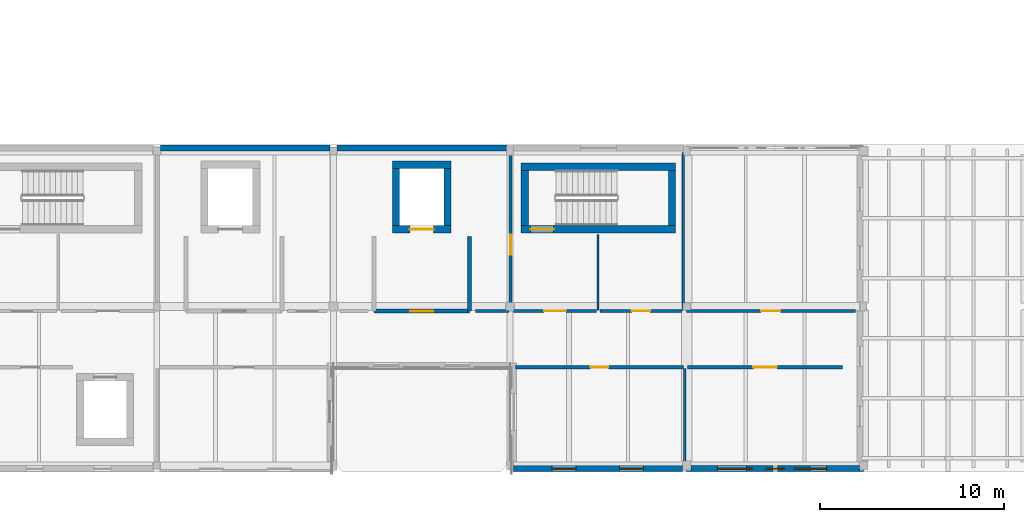
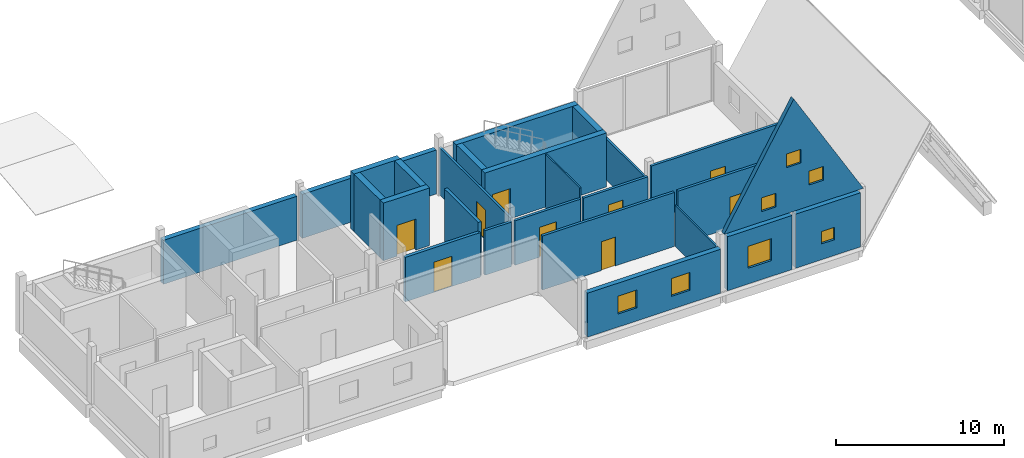
# One storey, part 15 of 23: 26 walls, 9 doors, 7 windows, 16 openings.
"""IFC4 building model written with IfcOpenShell, lengths in metres."""

from ifc_helpers import new_model, si_unit, direction, frame, frame_2d, origin, place, context, subcontext, project, spatial, polyline, rectangle, outline, extrude, material, layer, layer_set, type_object, element, fill, save


model = new_model("IFC4")

# Units and contexts
model_context = context("Model", 3, precision=1e-05, world=origin(), true_north=direction((0.0, 1.0)))
body_context = subcontext(model_context, "Body", "Model", "MODEL_VIEW")
ifc_project = project(units=[si_unit("LENGTHUNIT", "METRE"), si_unit("AREAUNIT", "SQUARE_METRE"), si_unit("VOLUMEUNIT", "CUBIC_METRE"), si_unit("PLANEANGLEUNIT", "RADIAN"), si_unit("MASSUNIT", "GRAM", prefix="KILO")], contexts=[model_context])

# Site, building, storey
site_placement = place(None, origin())
site = spatial("IfcSite", under=ifc_project, at=site_placement, CompositionType="ELEMENT")
building_placement = place(site_placement, origin())
building = spatial("IfcBuilding", under=site, at=building_placement, Name="Birchvale Park Specialist Clinic", CompositionType="ELEMENT")
storey_placement = place(building_placement, frame((0.0, 0.0, 18.0)))
storey = spatial("IfcBuildingStorey", under=building, at=storey_placement, Name="L04", CompositionType="ELEMENT", Elevation=18.0)

# Wall, opening, door
ifc_material_1 = material(Name="Concrete C40/50", Category="concrete")
ifc_layer_1 = layer(ifc_material_1, 0.39990234375)
ifc_layer_set_1 = layer_set([ifc_layer_1], Name="Concrete C40/50")
wall_type_1 = type_object("IfcWallType", Name="WL-CW-120", PredefinedType="SHEAR", material=ifc_layer_set_1)
wall_1_placement = place(storey_placement, frame((90.800048828125, 30.0, 0.0), z_axis=(0.0, 0.0, 1.0), x_axis=(1.0, 0.0, 0.0)))
wall_1 = element("IfcWall", 1, at=wall_1_placement, inside=storey, type_object=wall_type_1, Name="L04 stair ST5 EI 120 enclosure wall (south)", PredefinedType="SHEAR", context=body_context, shape_type="SweptSolid", body=[
    extrude(rectangle(XDim=8.39990234375, YDim=0.39990234375, at=frame_2d((4.199951171875, 0.0))), origin(), (0.0, 0.0, 1.0), 3.93994140625),
])
opening_1_placement = place(wall_1_placement, frame((0.52001953125, 0.0, 0.0)))
opening_1 = element("IfcOpeningElement", 2, at=opening_1_placement, cuts=wall_1, Name="Opening ID-FD60", PredefinedType="OPENING", context=body_context, shape_type="SweptSolid", body=[
    extrude(rectangle(XDim=1.25, YDim=2.199951171875, at=frame_2d((0.625, 1.10009765625))), frame((0.0, 0.2099609375, 0.0), z_axis=(0.0, -1.0, 0.0), x_axis=(1.0, 0.0, 0.0)), (0.0, 0.0, 1.0), 0.419921875),
])
ifc_material_2 = material(Name="Solid-core birch veneer and anodised aluminium", Category="aluminium")
door_type_1 = type_object("IfcDoorType", Name="DR-ID-FD60", OperationType="NOTDEFINED", PredefinedType="DOOR", material=ifc_material_2)
door_1_placement = place(opening_1_placement, origin())
door_1 = element("IfcDoor", 3, at=door_1_placement, inside=storey, type_object=door_type_1, Name="L04 stair ST5 fire door", OperationType="SINGLE_SWING_RIGHT", OverallHeight=2.199951171875, OverallWidth=1.25, PredefinedType="DOOR", context=body_context, shape_type="SweptSolid", body=[
    extrude(rectangle(XDim=1.25, YDim=2.199951171875, at=frame_2d((0.625, 1.10009765625))), frame((0.0, 0.02490234375, 0.0), z_axis=(0.0, -1.0, 0.0), x_axis=(1.0, 0.0, 0.0)), (0.0, 0.0, 1.0), 0.050048828125),
])
fill(opening_1, door_1)

# Walls
wall_2_placement = place(storey_placement, frame((99.199951171875, 33.39990234375, 0.0), z_axis=(0.0, 0.0, 1.0), x_axis=(-1.0, 0.0, 0.0)))
element("IfcWall", 4, at=wall_2_placement, inside=storey, type_object=wall_type_1, Name="L04 stair ST5 EI 120 enclosure wall (north)", PredefinedType="SHEAR", context=body_context, shape_type="SweptSolid", body=[
    extrude(rectangle(XDim=8.39990234375, YDim=0.39990234375, at=frame_2d((4.199951171875, 0.0))), origin(), (0.0, 0.0, 1.0), 3.93994140625),
])
for number, where, z_axis, x_axis, name in (
    (5, (91.0, 30.199951171875, 0.0), (0.0, 0.0, 1.0), (0.0, 1.0, 0.0), "L04 stair ST5 EI 120 enclosure wall (west)"),
    (6, (99.0, 33.199951171875, 0.0), (0.0, 0.0, 1.0), (0.0, -1.0, 0.0), "L04 stair ST5 EI 120 enclosure wall (east)"),
):
    element("IfcWall", number, at=place(storey_placement, frame(where, z_axis=z_axis, x_axis=x_axis)), inside=storey, type_object=wall_type_1, Name=name, PredefinedType="SHEAR", context=body_context, shape_type="SweptSolid", body=[
        extrude(rectangle(XDim=3.0, YDim=0.39990234375, at=frame_2d((1.5, 0.0))), origin(), (0.0, 0.0, 1.0), 3.93994140625),
    ])

# Wall, opening, door
wall_3_placement = place(storey_placement, frame((83.800048828125, 30.0, 0.0), z_axis=(0.0, 0.0, 1.0), x_axis=(1.0, 0.0, 0.0)))
wall_3 = element("IfcWall", 7, at=wall_3_placement, inside=storey, type_object=wall_type_1, Name="L04 lift LF2 shaft wall (south)", PredefinedType="SHEAR", context=body_context, shape_type="SweptSolid", body=[
    extrude(rectangle(XDim=3.199951171875, YDim=0.39990234375, at=frame_2d((1.60009765625, 0.0))), origin(), (0.0, 0.0, 1.0), 4.199951171875),
])
opening_2_placement = place(wall_3_placement, frame((0.949951171875, 0.0, 0.0)))
opening_2 = element("IfcOpeningElement", 8, at=opening_2_placement, cuts=wall_3, Name="Opening LD-02", PredefinedType="OPENING", context=body_context, shape_type="SweptSolid", body=[
    extrude(rectangle(XDim=1.300048828125, YDim=2.25, at=frame_2d((0.64990234375, 1.125))), frame((0.0, 0.2099609375, 0.0), z_axis=(0.0, -1.0, 0.0), x_axis=(1.0, 0.0, 0.0)), (0.0, 0.0, 1.0), 0.419921875),
])
door_type_2 = type_object("IfcDoorType", Name="DR-LD-02", OperationType="DOUBLE_DOOR_SLIDING", PredefinedType="DOOR", material=ifc_material_2)
door_2_placement = place(opening_2_placement, origin())
door_2 = element("IfcDoor", 9, at=door_2_placement, inside=storey, type_object=door_type_2, Name="L04 lift LF2 sliding landing door", OperationType="DOUBLE_DOOR_SLIDING", OverallHeight=2.25, OverallWidth=1.300048828125, PredefinedType="DOOR", context=body_context, shape_type="SweptSolid", body=[
    extrude(rectangle(XDim=1.300048828125, YDim=2.25, at=frame_2d((0.64990234375, 1.125))), frame((0.0, 0.02490234375, 0.0), z_axis=(0.0, -1.0, 0.0), x_axis=(1.0, 0.0, 0.0)), (0.0, 0.0, 1.0), 0.050048828125),
])
fill(opening_2, door_2)

# Walls
wall_4_placement = place(storey_placement, frame((87.0, 33.5, 0.0), z_axis=(0.0, 0.0, 1.0), x_axis=(-1.0, 0.0, 0.0)))
element("IfcWall", 10, at=wall_4_placement, inside=storey, type_object=wall_type_1, Name="L04 lift LF2 shaft wall (north)", PredefinedType="SHEAR", context=body_context, shape_type="SweptSolid", body=[
    extrude(rectangle(XDim=3.199951171875, YDim=0.39990234375, at=frame_2d((1.60009765625, 0.0))), origin(), (0.0, 0.0, 1.0), 4.199951171875),
])
for number, where, z_axis, x_axis, name in (
    (11, (84.0, 30.199951171875, 0.0), (0.0, 0.0, 1.0), (0.0, 1.0, 0.0), "L04 lift LF2 shaft wall (west)"),
    (12, (86.800048828125, 33.300048828125, 0.0), (0.0, 0.0, 1.0), (0.0, -1.0, 0.0), "L04 lift LF2 shaft wall (east)"),
):
    element("IfcWall", number, at=place(storey_placement, frame(where, z_axis=z_axis, x_axis=x_axis)), inside=storey, type_object=wall_type_1, Name=name, PredefinedType="SHEAR", context=body_context, shape_type="SweptSolid", body=[
        extrude(rectangle(XDim=3.10009765625, YDim=0.39990234375, at=frame_2d((1.550048828125, 0.0))), origin(), (0.0, 0.0, 1.0), 4.199951171875),
    ])

# Wall, openings, windows
ifc_material_3 = material(Name="Lime-white mineral-rendered insulated masonry", Category="masonry")
ifc_layer_2 = layer(ifc_material_3, 0.340087890625)
ifc_layer_set_2 = layer_set([ifc_layer_2], Name="Lime-white mineral-rendered insulated masonry")
wall_type_2 = type_object("IfcWallType", Name="WL-EW-01", PredefinedType="STANDARD", material=ifc_layer_set_2)
wall_5_placement = place(storey_placement, frame((90.3798828125, 16.989990234375, 0.0), z_axis=(0.0, 0.0, 1.0), x_axis=(1.0, 0.0, 0.0)))
wall_5 = element("IfcWall", 13, at=wall_5_placement, inside=storey, type_object=wall_type_2, Name="V4 L04 exterior facade wall 279", PredefinedType="STANDARD", context=body_context, shape_type="SweptSolid", body=[
    extrude(rectangle(XDim=9.18505859375, YDim=0.340087890625, at=frame_2d((4.592529296875, 0.0))), origin(), (0.0, 0.0, 1.0), 3.205078125),
])
opening_3_placement = place(wall_5_placement, frame((2.10546875, 0.0, 0.949951171875)))
opening_3 = element("IfcOpeningElement", 14, at=opening_3_placement, cuts=wall_5, Name="Opening W-SQ13", PredefinedType="OPENING", context=body_context, shape_type="SweptSolid", body=[
    extrude(rectangle(XDim=1.300048828125, YDim=1.300048828125, at=frame_2d((0.64990234375, 0.64990234375))), frame((0.0, 0.18017578125, 0.0), z_axis=(0.0, -1.0, 0.0), x_axis=(1.0, 0.0, 0.0)), (0.0, 0.0, 1.0), 0.360107421875),
])
opening_4_placement = place(wall_5_placement, frame((5.779541015625, 0.0, 0.949951171875)))
opening_4 = element("IfcOpeningElement", 15, at=opening_4_placement, cuts=wall_5, Name="Opening W-SQ13", PredefinedType="OPENING", context=body_context, shape_type="SweptSolid", body=[
    extrude(rectangle(XDim=1.300048828125, YDim=1.300048828125, at=frame_2d((0.64990234375, 0.64990234375))), frame((0.0, 0.18017578125, 0.0), z_axis=(0.0, -1.0, 0.0), x_axis=(1.0, 0.0, 0.0)), (0.0, 0.0, 1.0), 0.360107421875),
])
ifc_material_4 = material(Name="Solar-control low-E double glazing", Category="glass")
window_type_1 = type_object("IfcWindowType", Name="WIN-W-SQ13", PartitioningType="SINGLE_PANEL", PredefinedType="WINDOW", material=ifc_material_4)
window_1_placement = place(opening_3_placement, origin())
window_1 = element("IfcWindow", 16, at=window_1_placement, inside=storey, type_object=window_type_1, Name="V4 L04 cased window 137", OverallHeight=1.300048828125, OverallWidth=1.300048828125, PartitioningType="SINGLE_PANEL", PredefinedType="WINDOW", context=body_context, shape_type="SweptSolid", body=[
    extrude(rectangle(XDim=1.300048828125, YDim=1.300048828125, at=frame_2d((0.64990234375, 0.64990234375))), frame((0.0, 0.030029296875, 0.0), z_axis=(0.0, -1.0, 0.0), x_axis=(1.0, 0.0, 0.0)), (0.0, 0.0, 1.0), 0.06005859375),
])
fill(opening_3, window_1)
window_2_placement = place(opening_4_placement, origin())
window_2 = element("IfcWindow", 17, at=window_2_placement, inside=storey, type_object=window_type_1, Name="V4 L04 cased window 138", OverallHeight=1.300048828125, OverallWidth=1.300048828125, PartitioningType="SINGLE_PANEL", PredefinedType="WINDOW", context=body_context, shape_type="SweptSolid", body=[
    extrude(rectangle(XDim=1.300048828125, YDim=1.300048828125, at=frame_2d((0.64990234375, 0.64990234375))), frame((0.0, 0.030029296875, 0.0), z_axis=(0.0, -1.0, 0.0), x_axis=(1.0, 0.0, 0.0)), (0.0, 0.0, 1.0), 0.06005859375),
])
fill(opening_4, window_2)

# Wall, opening, window
wall_6_placement = place(storey_placement, frame((100.034912109375, 16.989990234375, 0.0), z_axis=(0.0, 0.0, 1.0), x_axis=(1.0, 0.0, 0.0)))
wall_6 = element("IfcWall", 18, at=wall_6_placement, inside=storey, type_object=wall_type_2, Name="V4 L04 exterior facade wall 280", PredefinedType="STANDARD", context=body_context, shape_type="SweptSolid", body=[
    extrude(rectangle(XDim=4.445068359375, YDim=0.340087890625, at=frame_2d((2.22265625, 0.0))), origin(), (0.0, 0.0, 1.0), 3.93994140625),
])
opening_5_placement = place(wall_6_placement, frame((1.422607421875, 0.0, 1.14990234375)))
opening_5 = element("IfcOpeningElement", 19, at=opening_5_placement, cuts=wall_6, Name="Opening W-SQ16", PredefinedType="OPENING", context=body_context, shape_type="SweptSolid", body=[
    extrude(rectangle(XDim=1.60009765625, YDim=1.60009765625, at=frame_2d((0.800048828125, 0.800048828125))), frame((0.0, 0.18017578125, 0.0), z_axis=(0.0, -1.0, 0.0), x_axis=(1.0, 0.0, 0.0)), (0.0, 0.0, 1.0), 0.360107421875),
])
window_type_2 = type_object("IfcWindowType", Name="WIN-W-SQ16", PartitioningType="SINGLE_PANEL", PredefinedType="WINDOW", material=ifc_material_4)
window_3_placement = place(opening_5_placement, origin())
window_3 = element("IfcWindow", 20, at=window_3_placement, inside=storey, type_object=window_type_2, Name="V4 L04 cased window 139", OverallHeight=1.60009765625, OverallWidth=1.60009765625, PartitioningType="SINGLE_PANEL", PredefinedType="WINDOW", context=body_context, shape_type="SweptSolid", body=[
    extrude(rectangle(XDim=1.60009765625, YDim=1.60009765625, at=frame_2d((0.800048828125, 0.800048828125))), frame((0.0, 0.030029296875, 0.0), z_axis=(0.0, -1.0, 0.0), x_axis=(1.0, 0.0, 0.0)), (0.0, 0.0, 1.0), 0.06005859375),
])
fill(opening_5, window_3)

wall_7_placement = place(storey_placement, frame((104.719970703125, 16.989990234375, 0.0), z_axis=(0.0, 0.0, 1.0), x_axis=(1.0, 0.0, 0.0)))
wall_7 = element("IfcWall", 21, at=wall_7_placement, inside=storey, type_object=wall_type_2, Name="V4 L04 exterior facade wall 281", PredefinedType="STANDARD", context=body_context, shape_type="SweptSolid", body=[
    extrude(rectangle(XDim=4.469970703125, YDim=0.340087890625, at=frame_2d((2.23486328125, 0.0))), origin(), (0.0, 0.0, 1.0), 3.93994140625),
])
opening_6_placement = place(wall_7_placement, frame((1.784912109375, 0.0, 1.14990234375)))
opening_6 = element("IfcOpeningElement", 22, at=opening_6_placement, cuts=wall_7, Name="Opening W-SQ09", PredefinedType="OPENING", context=body_context, shape_type="SweptSolid", body=[
    extrude(rectangle(XDim=0.89990234375, YDim=0.89990234375, at=frame_2d((0.449951171875, 0.449951171875))), frame((0.0, 0.18017578125, 0.0), z_axis=(0.0, -1.0, 0.0), x_axis=(1.0, 0.0, 0.0)), (0.0, 0.0, 1.0), 0.360107421875),
])
window_type_3 = type_object("IfcWindowType", Name="WIN-W-SQ09", PartitioningType="SINGLE_PANEL", PredefinedType="WINDOW", material=ifc_material_4)
window_4_placement = place(opening_6_placement, origin())
window_4 = element("IfcWindow", 23, at=window_4_placement, inside=storey, type_object=window_type_3, Name="V4 L04 cased window 140", OverallHeight=0.89990234375, OverallWidth=0.89990234375, PartitioningType="SINGLE_PANEL", PredefinedType="WINDOW", context=body_context, shape_type="SweptSolid", body=[
    extrude(rectangle(XDim=0.89990234375, YDim=0.89990234375, at=frame_2d((0.449951171875, 0.449951171875))), frame((0.0, 0.030029296875, 0.0), z_axis=(0.0, -1.0, 0.0), x_axis=(1.0, 0.0, 0.0)), (0.0, 0.0, 1.0), 0.06005859375),
])
fill(opening_6, window_4)

# Walls
wall_8_placement = place(storey_placement, frame((90.02001953125, 34.409912109375, 0.0), z_axis=(0.0, 0.0, 1.0), x_axis=(-1.0, 0.0, 0.0)))
element("IfcWall", 24, at=wall_8_placement, inside=storey, type_object=wall_type_2, Name="V4 L04 exterior facade wall 285", PredefinedType="STANDARD", context=body_context, shape_type="SweptSolid", body=[
    extrude(rectangle(XDim=9.235107421875, YDim=0.340087890625, at=frame_2d((4.61767578125, 0.0))), origin(), (0.0, 0.0, 1.0), 3.205078125),
])
wall_9_placement = place(storey_placement, frame((80.4150390625, 34.409912109375, 0.0), z_axis=(0.0, 0.0, 1.0), x_axis=(-1.0, 0.0, 0.0)))
element("IfcWall", 25, at=wall_9_placement, inside=storey, type_object=wall_type_2, Name="V4 L04 exterior facade wall 286", PredefinedType="STANDARD", context=body_context, shape_type="SweptSolid", body=[
    extrude(rectangle(XDim=9.205078125, YDim=0.340087890625, at=frame_2d((4.6025390625, 0.0))), origin(), (0.0, 0.0, 1.0), 3.205078125),
])

# Wall, openings, windows
ifc_layer_3 = layer(ifc_material_3, 0.31005859375)
ifc_layer_set_3 = layer_set([ifc_layer_3], Name="Lime-white mineral-rendered insulated masonry")
wall_type_3 = type_object("IfcWallType", Name="WL-EW-02", PredefinedType="STANDARD", material=ifc_layer_set_3)
wall_10_placement = place(storey_placement, frame((99.800048828125, 16.97509765625, 4.199951171875), z_axis=(0.0, 0.0, 1.0), x_axis=(1.0, 0.0, 0.0)))
wall_10 = element("IfcWall", 26, at=wall_10_placement, inside=storey, type_object=wall_type_3, Name="L05 white house-gable end wall Bay 6 S", PredefinedType="STANDARD", context=body_context, shape_type="SweptSolid", body=[
    extrude(outline(polyline([(0.0, 0.0), (9.599853515625, 0.0), (9.60009765625, 0.0), (4.800048828125, 8.18994140625), (0.0, 0.0), (0.0, 0.0)])), frame((0.0, 0.155029296875, 0.0), z_axis=(0.0, -1.0, 0.0), x_axis=(1.0, 0.0, 0.0)), (0.0, 0.0, 1.0), 0.31005859375),
])
opening_7_placement = place(wall_10_placement, frame((2.572021484375, 0.0, 0.75)))
opening_7 = element("IfcOpeningElement", 27, at=opening_7_placement, cuts=wall_10, Name="Opening W-SQ10", PredefinedType="OPENING", context=body_context, shape_type="SweptSolid", body=[
    extrude(rectangle(XDim=1.0, YDim=1.0, at=frame_2d((0.5, 0.5))), frame((0.0, 0.1650390625, 0.0), z_axis=(0.0, -1.0, 0.0), x_axis=(1.0, 0.0, 0.0)), (0.0, 0.0, 1.0), 0.330078125),
])
opening_8_placement = place(wall_10_placement, frame((5.8359375, 0.0, 1.550048828125)))
opening_8 = element("IfcOpeningElement", 28, at=opening_8_placement, cuts=wall_10, Name="Opening W-SQ10", PredefinedType="OPENING", context=body_context, shape_type="SweptSolid", body=[
    extrude(rectangle(XDim=1.0, YDim=1.0, at=frame_2d((0.5, 0.5))), frame((0.0, 0.1650390625, 0.0), z_axis=(0.0, -1.0, 0.0), x_axis=(1.0, 0.0, 0.0)), (0.0, 0.0, 1.0), 0.330078125),
])
opening_9_placement = place(wall_10_placement, frame((4.300048828125, 0.0, 3.35009765625)))
opening_9 = element("IfcOpeningElement", 29, at=opening_9_placement, cuts=wall_10, Name="Opening W-SQ10", PredefinedType="OPENING", context=body_context, shape_type="SweptSolid", body=[
    extrude(rectangle(XDim=1.0, YDim=1.0, at=frame_2d((0.5, 0.5))), frame((0.0, 0.1650390625, 0.0), z_axis=(0.0, -1.0, 0.0), x_axis=(1.0, 0.0, 0.0)), (0.0, 0.0, 1.0), 0.330078125),
])
window_type_4 = type_object("IfcWindowType", Name="WIN-W-SQ10", PartitioningType="SINGLE_PANEL", PredefinedType="WINDOW", material=ifc_material_4)
window_5_placement = place(opening_7_placement, origin())
window_5 = element("IfcWindow", 30, at=window_5_placement, inside=storey, type_object=window_type_4, Name="L05 gable square window Bay 6 S.1", OverallHeight=1.0, OverallWidth=1.0, PartitioningType="SINGLE_PANEL", PredefinedType="WINDOW", context=body_context, shape_type="SweptSolid", body=[
    extrude(rectangle(XDim=1.0, YDim=1.0, at=frame_2d((0.5, 0.5))), frame((0.0, 0.030029296875, 0.0), z_axis=(0.0, -1.0, 0.0), x_axis=(1.0, 0.0, 0.0)), (0.0, 0.0, 1.0), 0.06005859375),
])
fill(opening_7, window_5)
window_6_placement = place(opening_8_placement, origin())
window_6 = element("IfcWindow", 31, at=window_6_placement, inside=storey, type_object=window_type_4, Name="L05 gable square window Bay 6 S.2", OverallHeight=1.0, OverallWidth=1.0, PartitioningType="SINGLE_PANEL", PredefinedType="WINDOW", context=body_context, shape_type="SweptSolid", body=[
    extrude(rectangle(XDim=1.0, YDim=1.0, at=frame_2d((0.5, 0.5))), frame((0.0, 0.030029296875, 0.0), z_axis=(0.0, -1.0, 0.0), x_axis=(1.0, 0.0, 0.0)), (0.0, 0.0, 1.0), 0.06005859375),
])
fill(opening_8, window_6)
window_7_placement = place(opening_9_placement, origin())
window_7 = element("IfcWindow", 32, at=window_7_placement, inside=storey, type_object=window_type_4, Name="L05 gable square window Bay 6 S.3", OverallHeight=1.0, OverallWidth=1.0, PartitioningType="SINGLE_PANEL", PredefinedType="WINDOW", context=body_context, shape_type="SweptSolid", body=[
    extrude(rectangle(XDim=1.0, YDim=1.0, at=frame_2d((0.5, 0.5))), frame((0.0, 0.030029296875, 0.0), z_axis=(0.0, -1.0, 0.0), x_axis=(1.0, 0.0, 0.0)), (0.0, 0.0, 1.0), 0.06005859375),
])
fill(opening_9, window_7)

# Wall, opening, door
ifc_material_5 = material(Name="Acoustic gypsum board on metal framing")
ifc_layer_4 = layer(ifc_material_5, 0.14990234375)
ifc_layer_set_4 = layer_set([ifc_layer_4], Name="Acoustic gypsum board on metal framing")
wall_type_4 = type_object("IfcWallType", Name="WL-IW-02", PredefinedType="PARTITIONING", material=ifc_layer_set_4)
wall_11_placement = place(storey_placement, frame((90.226806640625, 34.159912109375, 0.0), z_axis=(0.0, 0.0, 1.0), x_axis=(0.0, -1.0, 0.0)))
wall_11 = element("IfcWall", 33, at=wall_11_placement, inside=storey, type_object=wall_type_4, Name="V4 L04 clinical partition 560", PredefinedType="PARTITIONING", context=body_context, shape_type="SweptSolid", body=[
    extrude(rectangle(XDim=8.530029296875, YDim=0.14990234375, at=frame_2d((4.26513671875, 0.0))), origin(), (0.0, 0.0, 1.0), 3.425048828125),
])
opening_10_placement = place(wall_11_placement, frame((4.47509765625, 0.0, 0.0)))
opening_10 = element("IfcOpeningElement", 34, at=opening_10_placement, cuts=wall_11, Name="Opening ID-03", PredefinedType="OPENING", context=body_context, shape_type="SweptSolid", body=[
    extrude(rectangle(XDim=1.080078125, YDim=2.199951171875, at=frame_2d((0.5400390625, 1.10009765625))), frame((0.0, 0.0849609375, 0.0), z_axis=(0.0, -1.0, 0.0), x_axis=(1.0, 0.0, 0.0)), (0.0, 0.0, 1.0), 0.169921875),
])
door_type_3 = type_object("IfcDoorType", Name="DR-ID-03", OperationType="NOTDEFINED", PredefinedType="DOOR", material=ifc_material_2)
door_3_placement = place(opening_10_placement, origin())
door_3 = element("IfcDoor", 35, at=door_3_placement, inside=storey, type_object=door_type_3, Name="V4 L04 clinical suite door 367", OperationType="SINGLE_SWING_LEFT", OverallHeight=2.199951171875, OverallWidth=1.080078125, PredefinedType="DOOR", context=body_context, shape_type="SweptSolid", body=[
    extrude(rectangle(XDim=1.080078125, YDim=2.199951171875, at=frame_2d((0.5400390625, 1.10009765625))), frame((0.0, 0.02490234375, 0.0), z_axis=(0.0, -1.0, 0.0), x_axis=(1.0, 0.0, 0.0)), (0.0, 0.0, 1.0), 0.050048828125),
])
fill(opening_10, door_3)

# Walls
ifc_layer_5 = layer(ifc_material_5, 0.139892578125)
ifc_layer_set_5 = layer_set([ifc_layer_5], Name="Acoustic gypsum board on metal framing")
wall_type_5 = type_object("IfcWallType", Name="WL-IW-03", PredefinedType="PARTITIONING", material=ifc_layer_set_5)
wall_12_placement = place(storey_placement, frame((99.61328125, 34.159912109375, 0.0), z_axis=(0.0, 0.0, 1.0), x_axis=(0.0, -1.0, 0.0)))
element("IfcWall", 36, at=wall_12_placement, inside=storey, type_object=wall_type_5, Name="V4 L04 clinical partition 564", PredefinedType="PARTITIONING", context=body_context, shape_type="SweptSolid", body=[
    extrude(rectangle(XDim=8.530029296875, YDim=0.139892578125, at=frame_2d((4.26513671875, 0.0))), origin(), (0.0, 0.0, 1.0), 2.985107421875),
])
ifc_layer_6 = layer(ifc_material_5, 0.114990234375)
ifc_layer_set_6 = layer_set([ifc_layer_6], Name="Acoustic gypsum board on metal framing")
wall_type_6 = type_object("IfcWallType", Name="WL-IW-05", PredefinedType="PARTITIONING", material=ifc_layer_set_6)
wall_13_placement = place(storey_placement, frame((99.68994140625, 22.419921875, 0.0), z_axis=(0.0, 0.0, 1.0), x_axis=(0.0, -1.0, 0.0)))
element("IfcWall", 37, at=wall_13_placement, inside=storey, type_object=wall_type_6, Name="V4 L04 clinical partition 552", PredefinedType="PARTITIONING", context=body_context, shape_type="SweptSolid", body=[
    extrude(rectangle(XDim=5.179931640625, YDim=0.114990234375, at=frame_2d((2.58984375, 0.0))), origin(), (0.0, 0.0, 1.0), 2.985107421875),
])
ifc_layer_7 = layer(ifc_material_5, 0.10009765625)
ifc_layer_set_7 = layer_set([ifc_layer_7], Name="Acoustic gypsum board on metal framing")
wall_type_7 = type_object("IfcWallType", Name="WL-IW-06", PredefinedType="PARTITIONING", material=ifc_layer_set_7)
wall_14_placement = place(storey_placement, frame((94.97998046875, 29.699951171875, 0.0), z_axis=(0.0, 0.0, 1.0), x_axis=(0.0, -1.0, 0.0)))
element("IfcWall", 38, at=wall_14_placement, inside=storey, type_object=wall_type_7, Name="V4 L04 clinical partition 562", PredefinedType="PARTITIONING", context=body_context, shape_type="SweptSolid", body=[
    extrude(rectangle(XDim=4.070068359375, YDim=0.10009765625, at=frame_2d((2.03515625, 0.0))), origin(), (0.0, 0.0, 1.0), 3.93994140625),
])

# Wall, opening, door
ifc_layer_8 = layer(ifc_material_5, 0.219970703125)
ifc_layer_set_8 = layer_set([ifc_layer_8], Name="Acoustic gypsum board on metal framing")
wall_type_8 = type_object("IfcWallType", Name="WL-IW-120", PredefinedType="PARTITIONING", material=ifc_layer_set_8)
wall_15_placement = place(storey_placement, frame((82.800048828125, 25.550048828125, 0.0), z_axis=(0.0, 0.0, 1.0), x_axis=(1.0, 0.0, 0.0)))
wall_15 = element("IfcWall", 39, at=wall_15_placement, inside=storey, type_object=wall_type_8, Name="L04 firefighting lift lobby K5 EI 120 wall (south)", PredefinedType="PARTITIONING", context=body_context, shape_type="SweptSolid", body=[
    extrude(rectangle(XDim=5.199951171875, YDim=0.219970703125, at=frame_2d((2.60009765625, 0.0))), origin(), (0.0, 0.0, 1.0), 3.2451171875),
])
opening_11_placement = place(wall_15_placement, frame((1.97509765625, 0.0, 0.0)))
opening_11 = element("IfcOpeningElement", 40, at=opening_11_placement, cuts=wall_15, Name="Opening ID-FD60", PredefinedType="OPENING", context=body_context, shape_type="SweptSolid", body=[
    extrude(rectangle(XDim=1.25, YDim=2.199951171875, at=frame_2d((0.625, 1.10009765625))), frame((0.0, 0.1201171875, 0.0), z_axis=(0.0, -1.0, 0.0), x_axis=(1.0, 0.0, 0.0)), (0.0, 0.0, 1.0), 0.239990234375),
])
door_4_placement = place(opening_11_placement, origin())
door_4 = element("IfcDoor", 41, at=door_4_placement, inside=storey, type_object=door_type_1, Name="L04 firefighting lobby K5 fire door", OperationType="SINGLE_SWING_RIGHT", OverallHeight=2.199951171875, OverallWidth=1.25, PredefinedType="DOOR", context=body_context, shape_type="SweptSolid", body=[
    extrude(rectangle(XDim=1.25, YDim=2.199951171875, at=frame_2d((0.625, 1.10009765625))), frame((0.0, 0.02490234375, 0.0), z_axis=(0.0, -1.0, 0.0), x_axis=(1.0, 0.0, 0.0)), (0.0, 0.0, 1.0), 0.050048828125),
])
fill(opening_11, door_4)

# Wall
wall_16_placement = place(storey_placement, frame((88.0, 25.550048828125, 0.0), z_axis=(0.0, 0.0, 1.0), x_axis=(0.0, 1.0, 0.0)))
element("IfcWall", 42, at=wall_16_placement, inside=storey, type_object=wall_type_8, Name="L04 firefighting lift lobby K5 EI 120 wall (east)", PredefinedType="PARTITIONING", context=body_context, shape_type="SweptSolid", body=[
    extrude(rectangle(XDim=4.050048828125, YDim=0.219970703125, at=frame_2d((2.02490234375, 0.0))), origin(), (0.0, 0.0, 1.0), 3.93994140625),
])

# Wall, opening, door
ifc_layer_9 = layer(ifc_material_5, 0.179931640625)
ifc_layer_set_9 = layer_set([ifc_layer_9], Name="Acoustic gypsum board on metal framing")
wall_type_9 = type_object("IfcWallType", Name="WL-IW-60", PredefinedType="PARTITIONING", material=ifc_layer_set_9)
wall_17_placement = place(storey_placement, frame((90.5, 22.5, 0.0), z_axis=(0.0, 0.0, 1.0), x_axis=(1.0, 0.0, 0.0)))
wall_17 = element("IfcWall", 43, at=wall_17_placement, inside=storey, type_object=wall_type_9, Name="V4 L04 clinical partition 551", PredefinedType="PARTITIONING", context=body_context, shape_type="SweptSolid", body=[
    extrude(rectangle(XDim=9.110107421875, YDim=0.179931640625, at=frame_2d((4.55517578125, 0.0))), origin(), (0.0, 0.0, 1.0), 3.93994140625),
])
opening_12_placement = place(wall_17_placement, frame((4.074951171875, 0.0, 0.0)))
opening_12 = element("IfcOpeningElement", 44, at=opening_12_placement, cuts=wall_17, Name="Opening ID-04", PredefinedType="OPENING", context=body_context, shape_type="SweptSolid", body=[
    extrude(rectangle(XDim=0.9599609375, YDim=2.10009765625, at=frame_2d((0.47998046875, 1.050048828125))), frame((0.0, 0.10009765625, 0.0), z_axis=(0.0, -1.0, 0.0), x_axis=(1.0, 0.0, 0.0)), (0.0, 0.0, 1.0), 0.199951171875),
])
door_type_4 = type_object("IfcDoorType", Name="DR-ID-04", OperationType="NOTDEFINED", PredefinedType="DOOR", material=ifc_material_2)
door_5_placement = place(opening_12_placement, origin())
door_5 = element("IfcDoor", 45, at=door_5_placement, inside=storey, type_object=door_type_4, Name="L04 Geriatric Assessment Suite door", OperationType="SINGLE_SWING_RIGHT", OverallHeight=2.10009765625, OverallWidth=0.9599609375, PredefinedType="DOOR", context=body_context, shape_type="SweptSolid", body=[
    extrude(rectangle(XDim=0.9599609375, YDim=2.10009765625, at=frame_2d((0.47998046875, 1.050048828125))), frame((0.0, 0.02490234375, 0.0), z_axis=(0.0, -1.0, 0.0), x_axis=(1.0, 0.0, 0.0)), (0.0, 0.0, 1.0), 0.050048828125),
])
fill(opening_12, door_5)

wall_18_placement = place(storey_placement, frame((99.85009765625, 22.5, 0.0), z_axis=(0.0, 0.0, 1.0), x_axis=(1.0, 0.0, 0.0)))
wall_18 = element("IfcWall", 46, at=wall_18_placement, inside=storey, type_object=wall_type_9, Name="V4 L04 clinical partition 553", PredefinedType="PARTITIONING", context=body_context, shape_type="SweptSolid", body=[
    extrude(rectangle(XDim=8.409912109375, YDim=0.179931640625, at=frame_2d((4.205078125, 0.0))), origin(), (0.0, 0.0, 1.0), 3.93994140625),
])
opening_13_placement = place(wall_18_placement, frame((3.56494140625, 0.0, 0.0)))
opening_13 = element("IfcOpeningElement", 47, at=opening_13_placement, cuts=wall_18, Name="Opening ID-05", PredefinedType="OPENING", context=body_context, shape_type="SweptSolid", body=[
    extrude(rectangle(XDim=1.280029296875, YDim=2.25, at=frame_2d((0.64013671875, 1.125))), frame((0.0, 0.10009765625, 0.0), z_axis=(0.0, -1.0, 0.0), x_axis=(1.0, 0.0, 0.0)), (0.0, 0.0, 1.0), 0.199951171875),
])
door_type_5 = type_object("IfcDoorType", Name="DR-ID-05", OperationType="NOTDEFINED", PredefinedType="DOOR", material=ifc_material_2)
door_6_placement = place(opening_13_placement, origin())
door_6 = element("IfcDoor", 48, at=door_6_placement, inside=storey, type_object=door_type_5, Name="L04 Outpatient Waiting Lounge door", OperationType="SINGLE_SWING_LEFT", OverallHeight=2.25, OverallWidth=1.280029296875, PredefinedType="DOOR", context=body_context, shape_type="SweptSolid", body=[
    extrude(rectangle(XDim=1.280029296875, YDim=2.25, at=frame_2d((0.64013671875, 1.125))), frame((0.0, 0.02490234375, 0.0), z_axis=(0.0, -1.0, 0.0), x_axis=(1.0, 0.0, 0.0)), (0.0, 0.0, 1.0), 0.050048828125),
])
fill(opening_13, door_6)

# Wall
wall_19_placement = place(storey_placement, frame((90.146728515625, 25.550048828125, 0.0), z_axis=(0.0, 0.0, 1.0), x_axis=(-1.0, 0.0, 0.0)))
element("IfcWall", 49, at=wall_19_placement, inside=storey, type_object=wall_type_9, Name="V4 L04 clinical partition 561", PredefinedType="PARTITIONING", context=body_context, shape_type="SweptSolid", body=[
    extrude(rectangle(XDim=1.82666015625, YDim=0.179931640625, at=frame_2d((0.913330078125, 0.0))), origin(), (0.0, 0.0, 1.0), 3.2451171875),
])

# Wall, opening, door
wall_20_placement = place(storey_placement, frame((94.89990234375, 25.550048828125, 0.0), z_axis=(0.0, 0.0, 1.0), x_axis=(-1.0, 0.0, 0.0)))
wall_20 = element("IfcWall", 50, at=wall_20_placement, inside=storey, type_object=wall_type_9, Name="V4 L04 clinical partition 563", PredefinedType="PARTITIONING", context=body_context, shape_type="SweptSolid", body=[
    extrude(rectangle(XDim=4.51318359375, YDim=0.179931640625, at=frame_2d((2.256591796875, 0.0))), origin(), (0.0, 0.0, 1.0), 3.2451171875),
])
opening_14_placement = place(wall_20_placement, frame((1.666748046875, 0.0, 0.0)))
opening_14 = element("IfcOpeningElement", 51, at=opening_14_placement, cuts=wall_20, Name="Opening ID-ST60", PredefinedType="OPENING", context=body_context, shape_type="SweptSolid", body=[
    extrude(rectangle(XDim=1.179931640625, YDim=2.179931640625, at=frame_2d((0.58984375, 1.08984375))), frame((0.0, 0.10009765625, 0.0), z_axis=(0.0, -1.0, 0.0), x_axis=(1.0, 0.0, 0.0)), (0.0, 0.0, 1.0), 0.199951171875),
])
door_type_6 = type_object("IfcDoorType", Name="DR-ID-ST60", OperationType="NOTDEFINED", PredefinedType="DOOR", material=ifc_material_2)
door_7_placement = place(opening_14_placement, origin())
door_7 = element("IfcDoor", 52, at=door_7_placement, inside=storey, type_object=door_type_6, Name="L04 Nutrition Counselling Clinic door", OperationType="SINGLE_SWING_RIGHT", OverallHeight=2.179931640625, OverallWidth=1.179931640625, PredefinedType="DOOR", context=body_context, shape_type="SweptSolid", body=[
    extrude(rectangle(XDim=1.179931640625, YDim=2.179931640625, at=frame_2d((0.58984375, 1.08984375))), frame((0.0, 0.02490234375, 0.0), z_axis=(0.0, -1.0, 0.0), x_axis=(1.0, 0.0, 0.0)), (0.0, 0.0, 1.0), 0.050048828125),
])
fill(opening_14, door_7)

wall_21_placement = place(storey_placement, frame((99.533203125, 25.550048828125, 0.0), z_axis=(0.0, 0.0, 1.0), x_axis=(-1.0, 0.0, 0.0)))
wall_21 = element("IfcWall", 53, at=wall_21_placement, inside=storey, type_object=wall_type_9, Name="V4 L04 clinical partition 565", PredefinedType="PARTITIONING", context=body_context, shape_type="SweptSolid", body=[
    extrude(rectangle(XDim=4.43310546875, YDim=0.179931640625, at=frame_2d((2.216552734375, 0.0))), origin(), (0.0, 0.0, 1.0), 3.2451171875),
])
opening_15_placement = place(wall_21_placement, frame((1.716796875, 0.0, 0.0)))
opening_15 = element("IfcOpeningElement", 54, at=opening_15_placement, cuts=wall_21, Name="Opening ID-01", PredefinedType="OPENING", context=body_context, shape_type="SweptSolid", body=[
    extrude(rectangle(XDim=1.0, YDim=2.14990234375, at=frame_2d((0.5, 1.074951171875))), frame((0.0, 0.10009765625, 0.0), z_axis=(0.0, -1.0, 0.0), x_axis=(1.0, 0.0, 0.0)), (0.0, 0.0, 1.0), 0.199951171875),
])
door_type_7 = type_object("IfcDoorType", Name="DR-ID-01", OperationType="NOTDEFINED", PredefinedType="DOOR", material=ifc_material_2)
door_8_placement = place(opening_15_placement, origin())
door_8 = element("IfcDoor", 55, at=door_8_placement, inside=storey, type_object=door_type_7, Name="L04 Nutrition Counselling Clinic door", OperationType="SINGLE_SWING_LEFT", OverallHeight=2.14990234375, OverallWidth=1.0, PredefinedType="DOOR", context=body_context, shape_type="SweptSolid", body=[
    extrude(rectangle(XDim=1.0, YDim=2.14990234375, at=frame_2d((0.5, 1.074951171875))), frame((0.0, 0.02490234375, 0.0), z_axis=(0.0, -1.0, 0.0), x_axis=(1.0, 0.0, 0.0)), (0.0, 0.0, 1.0), 0.050048828125),
])
fill(opening_15, door_8)

wall_22_placement = place(storey_placement, frame((108.9599609375, 25.550048828125, 0.0), z_axis=(0.0, 0.0, 1.0), x_axis=(-1.0, 0.0, 0.0)))
wall_22 = element("IfcWall", 56, at=wall_22_placement, inside=storey, type_object=wall_type_9, Name="V4 L04 clinical partition 566", PredefinedType="PARTITIONING", context=body_context, shape_type="SweptSolid", body=[
    extrude(rectangle(XDim=9.186767578125, YDim=0.179931640625, at=frame_2d((4.59326171875, 0.0))), origin(), (0.0, 0.0, 1.0), 3.93994140625),
])
opening_16_placement = place(wall_22_placement, frame((4.0732421875, 0.0, 0.0)))
opening_16 = element("IfcOpeningElement", 57, at=opening_16_placement, cuts=wall_22, Name="Opening ID-02", PredefinedType="OPENING", context=body_context, shape_type="SweptSolid", body=[
    extrude(rectangle(XDim=1.0400390625, YDim=2.14990234375, at=frame_2d((0.52001953125, 1.074951171875))), frame((0.0, 0.10009765625, 0.0), z_axis=(0.0, -1.0, 0.0), x_axis=(1.0, 0.0, 0.0)), (0.0, 0.0, 1.0), 0.199951171875),
])
door_type_8 = type_object("IfcDoorType", Name="DR-ID-02", OperationType="NOTDEFINED", PredefinedType="DOOR", material=ifc_material_2)
door_9_placement = place(opening_16_placement, origin())
door_9 = element("IfcDoor", 58, at=door_9_placement, inside=storey, type_object=door_type_8, Name="L04 Pain-Management Consultation Clinic door", OperationType="SINGLE_SWING_RIGHT", OverallHeight=2.14990234375, OverallWidth=1.0400390625, PredefinedType="DOOR", context=body_context, shape_type="SweptSolid", body=[
    extrude(rectangle(XDim=1.0400390625, YDim=2.14990234375, at=frame_2d((0.52001953125, 1.074951171875))), frame((0.0, 0.02490234375, 0.0), z_axis=(0.0, -1.0, 0.0), x_axis=(1.0, 0.0, 0.0)), (0.0, 0.0, 1.0), 0.050048828125),
])
fill(opening_16, door_9)

save(model, "model.ifc")
